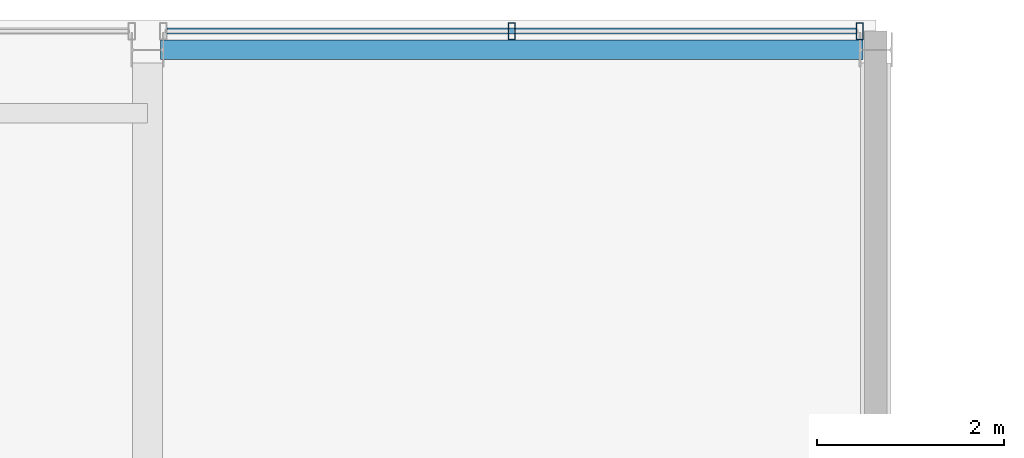
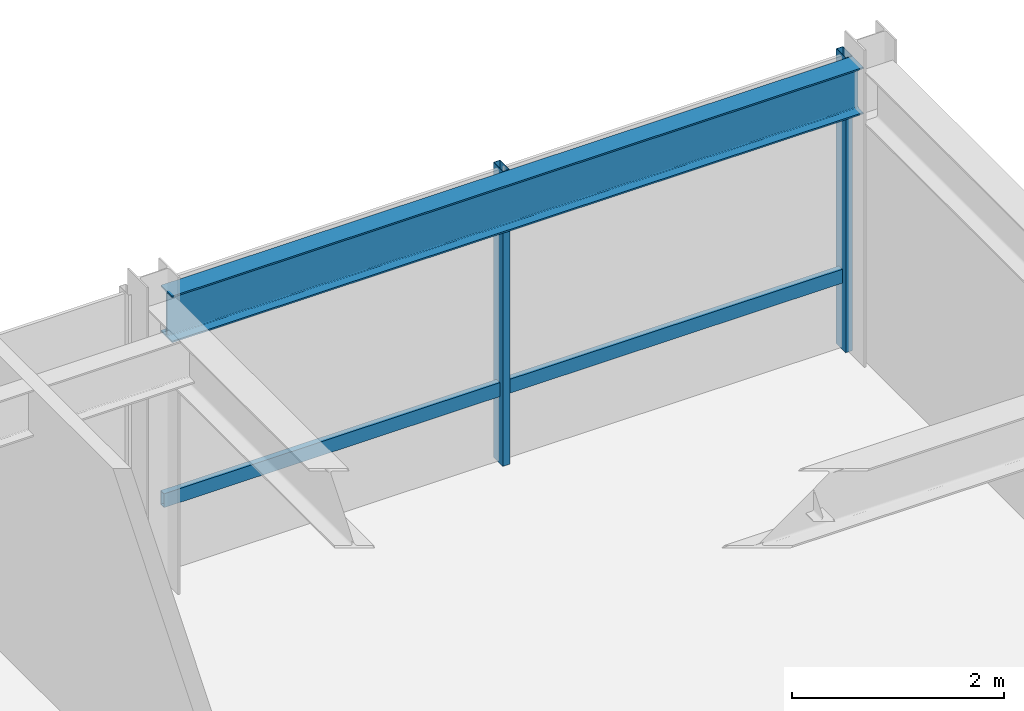
# One storey, part 26 of 34: 3 members, 1 beam, 1 element without a shape of its own.
"""IFC4 building model written with IfcOpenShell, lengths in metres."""

from ifc_helpers import new_model, si_unit, direction, frame, origin, origin_2d, place, context, subcontext, project, spatial, hollow_rectangle, i_section, extrude, material, layer, layer_set, material_profile, profile_set, type_object, element, aggregate, save


model = new_model("IFC4")

# Units and contexts
model_context = context("Model", 3, precision=1e-05, world=origin(), true_north=direction((0.0, 1.0)))
body_context = subcontext(model_context, "Body", "Model", "MODEL_VIEW")
ifc_project = project(units=[si_unit("LENGTHUNIT", "METRE"), si_unit("AREAUNIT", "SQUARE_METRE"), si_unit("VOLUMEUNIT", "CUBIC_METRE"), si_unit("PLANEANGLEUNIT", "RADIAN"), si_unit("MASSUNIT", "GRAM", prefix="KILO")], contexts=[model_context])

# Site, building, storey
site_placement = place(None, origin())
site = spatial("IfcSite", under=ifc_project, at=site_placement, CompositionType="ELEMENT")
building_placement = place(site_placement, origin())
building = spatial("IfcBuilding", under=site, at=building_placement, Name="Drelvath Grand Hotel", CompositionType="ELEMENT")
storey_placement = place(building_placement, frame((0.0, 0.0, 286.89990234375)))
storey = spatial("IfcBuildingStorey", under=building, at=storey_placement, Name="L75", CompositionType="ELEMENT", Elevation=286.89990234375)

# Curtain wall, members
ifc_material_1 = material(Name="Platinum-Mist Anodised Aluminium Frame", Category="aluminium")
ifc_layer = layer(ifc_material_1, 0.199951171875)
ifc_layer_set = layer_set([ifc_layer], Name="Platinum-Mist Anodised Aluminium Frame")
curtain_wall_type = type_object("IfcCurtainWallType", Name="Stick Curtain Wall CW-05 Platinum Mist High-Rise", PredefinedType="NOTDEFINED", material=ifc_layer_set)
curtain_wall_placement = place(storey_placement, origin())
curtain_wall = element("IfcCurtainWall", 1, at=curtain_wall_placement, inside=storey, type_object=curtain_wall_type, Name="L75 CW-05 Curtain Wall CW05-L75-NE2", PredefinedType="NOTDEFINED")
ifc_material_profile_1 = material_profile(ifc_material_1, hollow_rectangle(XDim=0.06494140625, YDim=0.159912109375, WallThickness=0.00390625, at=origin_2d()), Name="HSS160X65X4")
ifc_profile_set_1 = profile_set([ifc_material_profile_1], Name="Platinum-Mist Anodised Aluminium Frame")
member_type_1 = type_object("IfcMemberType", Name="Curtain Wall Horizontal Transom CW-05 HSS160X65X4", PredefinedType="USERDEFINED", material=ifc_profile_set_1)
member_1_placement = place(storey_placement, frame((8.610107421875, 49.080078125, 0.84765625), z_axis=(1.0, 0.0, 0.0), x_axis=(0.0, 1.0, 0.0)))
member_1 = element("IfcMember", 2, at=member_1_placement, type_object=member_type_1, Name="CW05-L75-NE2 Sill Transom", ObjectType="TRANSOM", PredefinedType="USERDEFINED", context=body_context, shape_type="SweptSolid", body=[
    extrude(hollow_rectangle(XDim=0.06494140625, YDim=0.159912109375, WallThickness=0.00390625, at=origin_2d()), origin(), (0.0, 0.0, 1.0), 7.3798828125),
])
ifc_material_profile_2 = material_profile(ifc_material_1, hollow_rectangle(XDim=0.074951171875, YDim=0.179931640625, WallThickness=0.0048828125, at=origin_2d()), Name="HSS180X75X5")
ifc_profile_set_2 = profile_set([ifc_material_profile_2], Name="Platinum-Mist Anodised Aluminium Frame")
member_type_2 = type_object("IfcMemberType", Name="Curtain Wall Vertical Mullion CW-05 HSS180X75X5", PredefinedType="MULLION", material=ifc_profile_set_2)
member_2_placement = place(storey_placement, frame((12.300048828125, 49.080078125, 0.0), z_axis=(0.0, 0.0, 1.0), x_axis=(1.0, 0.0, 0.0)))
member_2 = element("IfcMember", 3, at=member_2_placement, type_object=member_type_2, Name="CW05-L75-NE2 Mullion 2", PredefinedType="MULLION", context=body_context, shape_type="SweptSolid", body=[
    extrude(hollow_rectangle(XDim=0.074951171875, YDim=0.179931640625, WallThickness=0.0048828125, at=origin_2d()), origin(), (0.0, 0.0, 1.0), 3.39013671875),
])
member_3_placement = place(storey_placement, frame((16.02978515625, 49.080078125, 0.0), z_axis=(0.0, 0.0, 1.0), x_axis=(1.0, 0.0, 0.0)))
member_3 = element("IfcMember", 4, at=member_3_placement, type_object=member_type_2, Name="CW05-L75-NE2 Mullion 3", PredefinedType="MULLION", context=body_context, shape_type="SweptSolid", body=[
    extrude(hollow_rectangle(XDim=0.074951171875, YDim=0.179931640625, WallThickness=0.0048828125, at=origin_2d()), origin(), (0.0, 0.0, 1.0), 3.39013671875),
])
aggregate(curtain_wall, [member_2, member_3, member_1])

# Beam
ifc_material_2 = material(Name="Steel ASTM A992 Gr 50", Category="steel")
ifc_material_profile_3 = material_profile(ifc_material_2, i_section(OverallWidth=0.210205078125, OverallDepth=0.53662109375, WebThickness=0.010986328125, FlangeThickness=0.017333984375, FilletRadius=0.01806640625, at=origin_2d()), Name="W21X68")
ifc_profile_set_3 = profile_set([ifc_material_profile_3], Name="Steel ASTM A992 Gr 50")
beam_type = type_object("IfcBeamType", Name="Perimeter Spandrel Beam W21X68", PredefinedType="SPANDREL", material=ifc_profile_set_3)
beam_placement = place(storey_placement, frame((8.5400390625, 48.8798828125, 3.121826171875), z_axis=(1.0, 0.0, 0.0), x_axis=(0.0, 1.0, 0.0)))
element("IfcBeam", 5, at=beam_placement, inside=storey, type_object=beam_type, Name="L75 Spandrel North E", PredefinedType="SPANDREL", context=body_context, shape_type="SweptSolid", body=[
    extrude(i_section(OverallWidth=0.210205078125, OverallDepth=0.53662109375, WebThickness=0.010986328125, FlangeThickness=0.017333984375, FilletRadius=0.01806640625, at=origin_2d()), origin(), (0.0, 0.0, 1.0), 7.52001953125),
])

save(model, "model.ifc")
